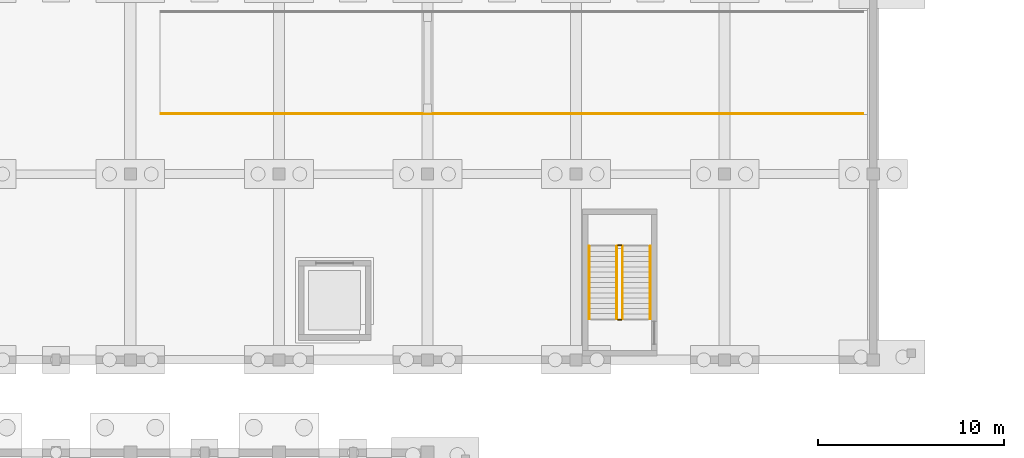
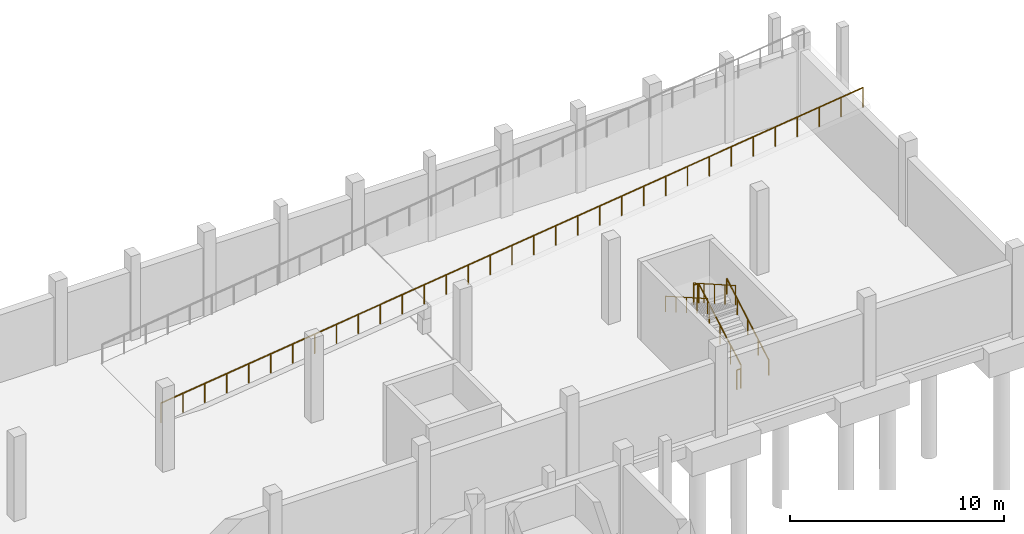
# One storey, part 45 of 52: 7 railings.
"""IFC4 building model written with IfcOpenShell, lengths in metres."""

from ifc_helpers import new_model, si_unit, direction, frame, origin, origin_2d, place, context, subcontext, project, spatial, circle, extrude, material, type_object, element, save


model = new_model("IFC4")

# Units and contexts
model_context = context("Model", 3, precision=1e-05, world=origin(), true_north=direction((0.0, 1.0)))
body_context = subcontext(model_context, "Body", "Model", "MODEL_VIEW")
ifc_project = project(units=[si_unit("LENGTHUNIT", "METRE"), si_unit("AREAUNIT", "SQUARE_METRE"), si_unit("VOLUMEUNIT", "CUBIC_METRE"), si_unit("PLANEANGLEUNIT", "RADIAN"), si_unit("MASSUNIT", "GRAM", prefix="KILO")], contexts=[model_context])

# Site, building, storey
site_placement = place(None, origin())
site = spatial("IfcSite", under=ifc_project, at=site_placement, CompositionType="ELEMENT")
building_placement = place(site_placement, origin())
building = spatial("IfcBuilding", under=site, at=building_placement, Name="Luwemba Playhouse", CompositionType="ELEMENT")
storey_placement = place(building_placement, frame((0.0, 0.0, -4.800048828125)))
storey = spatial("IfcBuildingStorey", under=building, at=storey_placement, Name="B1", CompositionType="ELEMENT", Elevation=-4.800048828125)

# Railings
ifc_material_1 = material(Name="Painted wrought-iron gallery balustrade", Category="steel")
railing_type_1 = type_object("IfcRailingType", Name="RLG-BAL-INT", PredefinedType="BALUSTRADE", material=ifc_material_1)
railing_1_placement = place(storey_placement, frame((62.5, 97.199951171875, 0.16015625)))
element("IfcRailing", 1, at=railing_1_placement, inside=storey, type_object=railing_type_1, Name="B1 ST-15 stair guard 1", PredefinedType="BALUSTRADE", context=body_context, shape_type="SweptSolid", body=[
    extrude(circle(Radius=0.02392578125, at=origin_2d()), frame((0.0, 0.0, 1.09619140625), z_axis=(0.0, 0.86825312469, 0.496121468458), x_axis=(-1.0, 0.0, 0.0)), (0.0, 0.0, 1.0), 4.514892578125),
    extrude(circle(Radius=0.02099609375, at=origin_2d()), origin(), (0.0, 0.0, 1.0), 1.072021484375),
    extrude(circle(Radius=0.02099609375, at=origin_2d()), frame((0.0, 0.97998046875, 0.56005859375)), (0.0, 0.0, 1.0), 1.072021484375),
    extrude(circle(Radius=0.02099609375, at=origin_2d()), frame((0.0, 1.9599609375, 1.1201171875)), (0.0, 0.0, 1.0), 1.072021484375),
    extrude(circle(Radius=0.02099609375, at=origin_2d()), frame((0.0, 2.940185546875, 1.679931640625)), (0.0, 0.0, 1.0), 1.072021484375),
    extrude(circle(Radius=0.02099609375, at=origin_2d()), frame((0.0, 3.920166015625, 2.239990234375)), (0.0, 0.0, 1.0), 1.072021484375),
])
railing_2_placement = place(storey_placement, frame((62.449951171875, 101.169921875, 2.400146484375)))
element("IfcRailing", 2, at=railing_2_placement, inside=storey, type_object=railing_type_1, Name="B1 ST-15 stair guard 2", PredefinedType="BALUSTRADE", context=body_context, shape_type="SweptSolid", body=[
    extrude(circle(Radius=0.02392578125, at=origin_2d()), frame((0.0, 0.0, 1.09619140625), z_axis=(-1.0, 0.0, 0.0), x_axis=(0.0, -1.0, 0.0)), (0.0, 0.0, 1.0), 0.199951171875),
    extrude(circle(Radius=0.02099609375, at=origin_2d()), origin(), (0.0, 0.0, 1.0), 1.072021484375),
    extrude(circle(Radius=0.02099609375, at=origin_2d()), frame((-0.199951171875, 0.0, 0.0)), (0.0, 0.0, 1.0), 1.072021484375),
])
railing_3_placement = place(storey_placement, frame((62.199951171875, 101.1201171875, 2.56005859375)))
element("IfcRailing", 3, at=railing_3_placement, inside=storey, type_object=railing_type_1, Name="B1 ST-15 stair guard 3", PredefinedType="BALUSTRADE", context=body_context, shape_type="SweptSolid", body=[
    extrude(circle(Radius=0.02392578125, at=origin_2d()), frame((0.0, 0.0, 1.09619140625), z_axis=(0.0, -0.86825312469, 0.496121468458), x_axis=(1.0, 0.0, 0.0)), (0.0, 0.0, 1.0), 4.514892578125),
    extrude(circle(Radius=0.02099609375, at=origin_2d()), origin(), (0.0, 0.0, 1.0), 1.072021484375),
    extrude(circle(Radius=0.02099609375, at=origin_2d()), frame((0.0, -0.97998046875, 0.56005859375)), (0.0, 0.0, 1.0), 1.072021484375),
    extrude(circle(Radius=0.02099609375, at=origin_2d()), frame((0.0, -1.9599609375, 1.1201171875)), (0.0, 0.0, 1.0), 1.072021484375),
    extrude(circle(Radius=0.02099609375, at=origin_2d()), frame((0.0, -2.940185546875, 1.679931640625)), (0.0, 0.0, 1.0), 1.072021484375),
    extrude(circle(Radius=0.02099609375, at=origin_2d()), frame((0.0, -3.920166015625, 2.239990234375)), (0.0, 0.0, 1.0), 1.072021484375),
])
railing_4_placement = place(storey_placement, frame((62.449951171875, 97.14990234375, 0.0)))
element("IfcRailing", 4, at=railing_4_placement, inside=storey, type_object=railing_type_1, Name="B1 ST-15 stair guard 4", PredefinedType="BALUSTRADE", context=body_context, shape_type="SweptSolid", body=[
    extrude(circle(Radius=0.02392578125, at=origin_2d()), frame((0.0, 0.0, 1.09619140625), z_axis=(-1.0, 0.0, 0.0), x_axis=(0.0, -1.0, 0.0)), (0.0, 0.0, 1.0), 0.199951171875),
    extrude(circle(Radius=0.02099609375, at=origin_2d()), origin(), (0.0, 0.0, 1.0), 1.072021484375),
    extrude(circle(Radius=0.02099609375, at=origin_2d()), frame((-0.199951171875, 0.0, 0.0)), (0.0, 0.0, 1.0), 1.072021484375),
])
ifc_material_2 = material(Name="Hardwood and bronze handrail", Category="wood")
railing_type_2 = type_object("IfcRailingType", Name="RLG-HR-INT", PredefinedType="HANDRAIL", material=ifc_material_2)
railing_5_placement = place(storey_placement, frame((64.0, 97.199951171875, 0.16015625)))
element("IfcRailing", 5, at=railing_5_placement, inside=storey, type_object=railing_type_2, Name="B1 ST-15 stair handrail 1", PredefinedType="HANDRAIL", context=body_context, shape_type="SweptSolid", body=[
    extrude(circle(Radius=0.02392578125, at=origin_2d()), frame((0.0, 0.0, 0.8759765625), z_axis=(0.0, 0.86825312469, 0.496121468458), x_axis=(-1.0, 0.0, 0.0)), (0.0, 0.0, 1.0), 4.514892578125),
    extrude(circle(Radius=0.02099609375, at=origin_2d()), origin(), (0.0, 0.0, 1.0), 0.851806640625),
    extrude(circle(Radius=0.02099609375, at=origin_2d()), frame((0.0, 0.97998046875, 0.56005859375)), (0.0, 0.0, 1.0), 0.851806640625),
    extrude(circle(Radius=0.02099609375, at=origin_2d()), frame((0.0, 1.9599609375, 1.1201171875)), (0.0, 0.0, 1.0), 0.851806640625),
    extrude(circle(Radius=0.02099609375, at=origin_2d()), frame((0.0, 2.940185546875, 1.679931640625)), (0.0, 0.0, 1.0), 0.851806640625),
    extrude(circle(Radius=0.02099609375, at=origin_2d()), frame((0.0, 3.920166015625, 2.239990234375)), (0.0, 0.0, 1.0), 0.851806640625),
])
railing_6_placement = place(storey_placement, frame((60.699951171875, 101.1201171875, 2.56005859375)))
element("IfcRailing", 6, at=railing_6_placement, inside=storey, type_object=railing_type_2, Name="B1 ST-15 stair handrail 2", PredefinedType="HANDRAIL", context=body_context, shape_type="SweptSolid", body=[
    extrude(circle(Radius=0.02392578125, at=origin_2d()), frame((0.0, 0.0, 0.8759765625), z_axis=(0.0, -0.86825312469, 0.496121468458), x_axis=(1.0, 0.0, 0.0)), (0.0, 0.0, 1.0), 4.514892578125),
    extrude(circle(Radius=0.02099609375, at=origin_2d()), origin(), (0.0, 0.0, 1.0), 0.851806640625),
    extrude(circle(Radius=0.02099609375, at=origin_2d()), frame((0.0, -0.97998046875, 0.56005859375)), (0.0, 0.0, 1.0), 0.851806640625),
    extrude(circle(Radius=0.02099609375, at=origin_2d()), frame((0.0, -1.9599609375, 1.1201171875)), (0.0, 0.0, 1.0), 0.851806640625),
    extrude(circle(Radius=0.02099609375, at=origin_2d()), frame((0.0, -2.940185546875, 1.679931640625)), (0.0, 0.0, 1.0), 0.851806640625),
    extrude(circle(Radius=0.02099609375, at=origin_2d()), frame((0.0, -3.920166015625, 2.239990234375)), (0.0, 0.0, 1.0), 0.851806640625),
])
ifc_material_3 = material(Name="Painted wrought-iron balustrade", Category="steel")
railing_type_3 = type_object("IfcRailingType", Name="RLG-RMP-BAL", PredefinedType="BALUSTRADE", material=ifc_material_3)
railing_7_placement = place(storey_placement, frame((37.64990234375, 108.25, 0.0)))
element("IfcRailing", 7, at=railing_7_placement, inside=storey, type_object=railing_type_3, Name="Car park ramp R1 south guard", PredefinedType="BALUSTRADE", context=body_context, shape_type="SweptSolid", body=[
    extrude(circle(Radius=0.02392578125, at=origin_2d()), frame((0.0, 0.0, 1.09619140625), z_axis=(0.992261797188, 0.0, 0.12416330312), x_axis=(0.0, 1.0, 0.0)), (0.0, 0.0, 1.0), 38.0947265625),
    extrude(circle(Radius=0.02099609375, at=origin_2d()), origin(), (0.0, 0.0, 1.0), 1.072021484375),
    extrude(circle(Radius=0.02099609375, at=origin_2d()), frame((1.18115234375, 0.0, 0.147705078125)), (0.0, 0.0, 1.0), 1.072021484375),
    extrude(circle(Radius=0.02099609375, at=origin_2d()), frame((2.362548828125, 0.0, 0.295654296875)), (0.0, 0.0, 1.0), 1.072021484375),
    extrude(circle(Radius=0.02099609375, at=origin_2d()), frame((3.543701171875, 0.0, 0.443359375)), (0.0, 0.0, 1.0), 1.072021484375),
    extrude(circle(Radius=0.02099609375, at=origin_2d()), frame((4.72509765625, 0.0, 0.59130859375)), (0.0, 0.0, 1.0), 1.072021484375),
    extrude(circle(Radius=0.02099609375, at=origin_2d()), frame((5.90625, 0.0, 0.739013671875)), (0.0, 0.0, 1.0), 1.072021484375),
    extrude(circle(Radius=0.02099609375, at=origin_2d()), frame((7.08740234375, 0.0, 0.886962890625)), (0.0, 0.0, 1.0), 1.072021484375),
    extrude(circle(Radius=0.02099609375, at=origin_2d()), frame((8.268798828125, 0.0, 1.03466796875)), (0.0, 0.0, 1.0), 1.072021484375),
    extrude(circle(Radius=0.02099609375, at=origin_2d()), frame((9.449951171875, 0.0, 1.1826171875)), (0.0, 0.0, 1.0), 1.072021484375),
    extrude(circle(Radius=0.02099609375, at=origin_2d()), frame((10.63134765625, 0.0, 1.330322265625)), (0.0, 0.0, 1.0), 1.072021484375),
    extrude(circle(Radius=0.02099609375, at=origin_2d()), frame((11.8125, 0.0, 1.47802734375)), (0.0, 0.0, 1.0), 1.072021484375),
    extrude(circle(Radius=0.02099609375, at=origin_2d()), frame((12.99365234375, 0.0, 1.6259765625)), (0.0, 0.0, 1.0), 1.072021484375),
    extrude(circle(Radius=0.02099609375, at=origin_2d()), frame((14.175048828125, 0.0, 1.773681640625)), (0.0, 0.0, 1.0), 1.072021484375),
    extrude(circle(Radius=0.02099609375, at=origin_2d()), frame((15.356201171875, 0.0, 1.921630859375)), (0.0, 0.0, 1.0), 1.072021484375),
    extrude(circle(Radius=0.02099609375, at=origin_2d()), frame((16.53759765625, 0.0, 2.0693359375)), (0.0, 0.0, 1.0), 1.072021484375),
    extrude(circle(Radius=0.02099609375, at=origin_2d()), frame((17.71875, 0.0, 2.21728515625)), (0.0, 0.0, 1.0), 1.072021484375),
    extrude(circle(Radius=0.02099609375, at=origin_2d()), frame((18.89990234375, 0.0, 2.364990234375)), (0.0, 0.0, 1.0), 1.072021484375),
    extrude(circle(Radius=0.02099609375, at=origin_2d()), frame((20.081298828125, 0.0, 2.5126953125)), (0.0, 0.0, 1.0), 1.072021484375),
    extrude(circle(Radius=0.02099609375, at=origin_2d()), frame((21.262451171875, 0.0, 2.66064453125)), (0.0, 0.0, 1.0), 1.072021484375),
    extrude(circle(Radius=0.02099609375, at=origin_2d()), frame((22.44384765625, 0.0, 2.808349609375)), (0.0, 0.0, 1.0), 1.072021484375),
    extrude(circle(Radius=0.02099609375, at=origin_2d()), frame((23.625, 0.0, 2.956298828125)), (0.0, 0.0, 1.0), 1.072021484375),
    extrude(circle(Radius=0.02099609375, at=origin_2d()), frame((24.806396484375, 0.0, 3.10400390625)), (0.0, 0.0, 1.0), 1.072021484375),
    extrude(circle(Radius=0.02099609375, at=origin_2d()), frame((25.987548828125, 0.0, 3.251953125)), (0.0, 0.0, 1.0), 1.072021484375),
    extrude(circle(Radius=0.02099609375, at=origin_2d()), frame((27.168701171875, 0.0, 3.399658203125)), (0.0, 0.0, 1.0), 1.072021484375),
    extrude(circle(Radius=0.02099609375, at=origin_2d()), frame((28.35009765625, 0.0, 3.54736328125)), (0.0, 0.0, 1.0), 1.072021484375),
    extrude(circle(Radius=0.02099609375, at=origin_2d()), frame((29.53125, 0.0, 3.6953125)), (0.0, 0.0, 1.0), 1.072021484375),
    extrude(circle(Radius=0.02099609375, at=origin_2d()), frame((30.712646484375, 0.0, 3.843017578125)), (0.0, 0.0, 1.0), 1.072021484375),
    extrude(circle(Radius=0.02099609375, at=origin_2d()), frame((31.893798828125, 0.0, 3.990966796875)), (0.0, 0.0, 1.0), 1.072021484375),
    extrude(circle(Radius=0.02099609375, at=origin_2d()), frame((33.074951171875, 0.0, 4.138671875)), (0.0, 0.0, 1.0), 1.072021484375),
    extrude(circle(Radius=0.02099609375, at=origin_2d()), frame((34.25634765625, 0.0, 4.28662109375)), (0.0, 0.0, 1.0), 1.072021484375),
    extrude(circle(Radius=0.02099609375, at=origin_2d()), frame((35.4375, 0.0, 4.434326171875)), (0.0, 0.0, 1.0), 1.072021484375),
    extrude(circle(Radius=0.02099609375, at=origin_2d()), frame((36.618896484375, 0.0, 4.582275390625)), (0.0, 0.0, 1.0), 1.072021484375),
    extrude(circle(Radius=0.02099609375, at=origin_2d()), frame((37.800048828125, 0.0, 4.72998046875)), (0.0, 0.0, 1.0), 1.072021484375),
])

save(model, "model.ifc")
